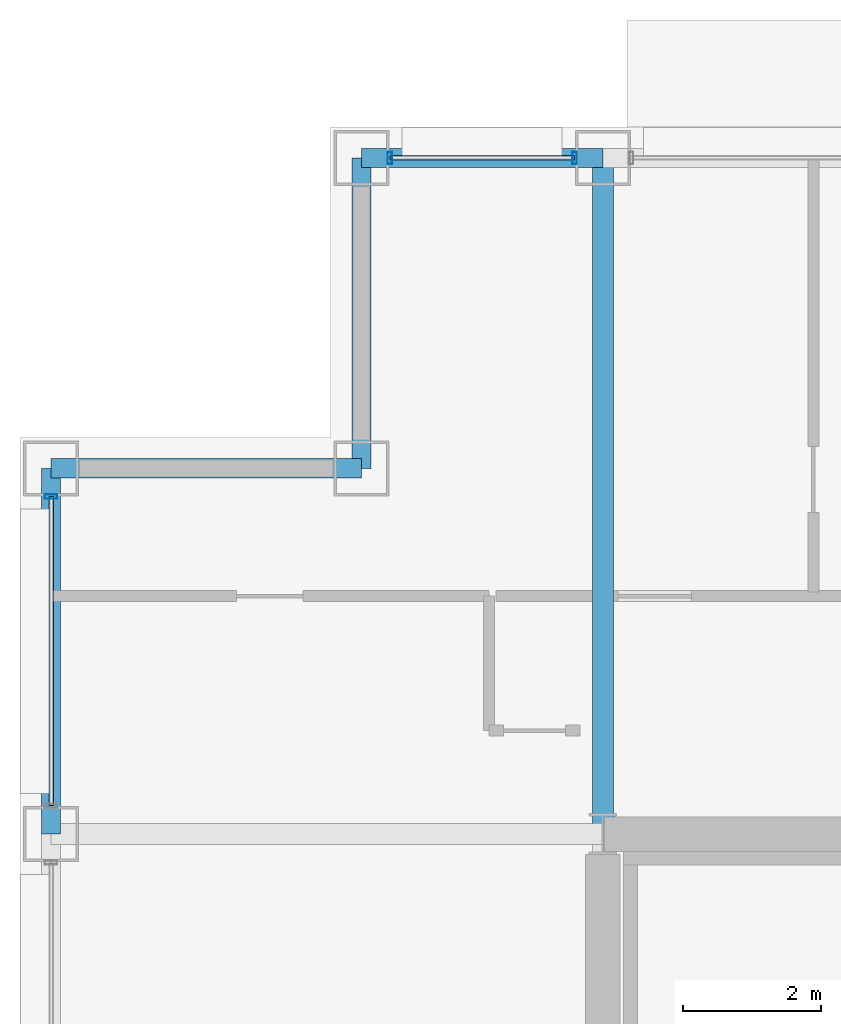
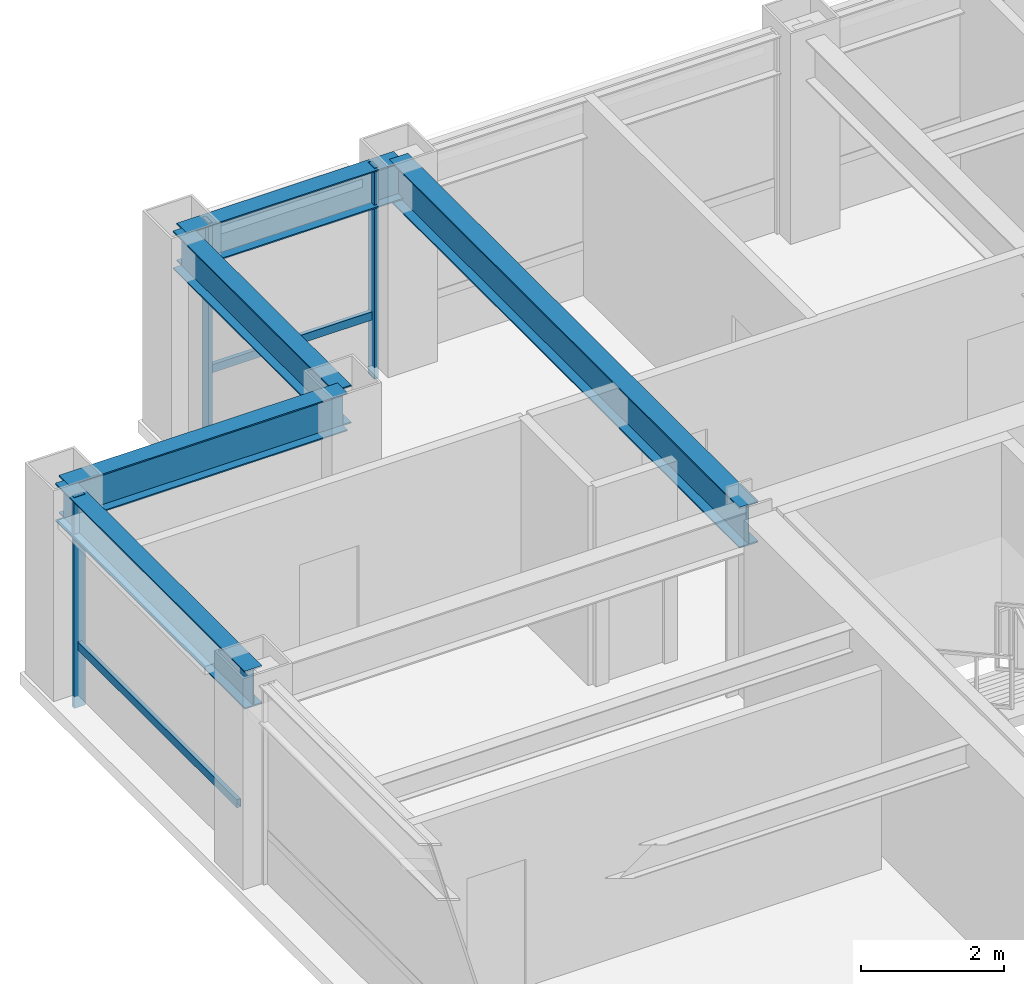
# One storey, part 18 of 28: 5 beams, 5 members, 2 elements without a shape of their own.
"""IFC4 building model written with IfcOpenShell, lengths in metres."""

from ifc_helpers import new_model, si_unit, direction, frame, origin, origin_2d, place, context, subcontext, project, spatial, hollow_rectangle, i_section, extrude, material, layer, layer_set, material_profile, profile_set, type_object, element, aggregate, save


model = new_model("IFC4")

# Units and contexts
model_context = context("Model", 3, precision=1e-05, world=origin(), true_north=direction((0.0, 1.0)))
body_context = subcontext(model_context, "Body", "Model", "MODEL_VIEW")
ifc_project = project(units=[si_unit("LENGTHUNIT", "METRE"), si_unit("AREAUNIT", "SQUARE_METRE"), si_unit("VOLUMEUNIT", "CUBIC_METRE"), si_unit("PLANEANGLEUNIT", "RADIAN"), si_unit("MASSUNIT", "GRAM", prefix="KILO")], contexts=[model_context])

# Site, building, storey
site_placement = place(None, origin())
site = spatial("IfcSite", under=ifc_project, at=site_placement, CompositionType="ELEMENT")
building_placement = place(site_placement, origin())
building = spatial("IfcBuilding", under=site, at=building_placement, Name="Brelmoor Portico Tower", CompositionType="ELEMENT")
storey_placement = place(building_placement, frame((0.0, 0.0, 142.199951171875)))
storey = spatial("IfcBuildingStorey", under=building, at=storey_placement, Name="L37", CompositionType="ELEMENT", Elevation=142.199951171875)

# Beams
ifc_material_1 = material(Name="Steel Q355B", Category="steel")
ifc_material_profile_1 = material_profile(ifc_material_1, i_section(OverallWidth=0.300048828125, OverallDepth=0.699951171875, WebThickness=0.012939453125, FlangeThickness=0.02392578125, at=origin_2d()), Name="HN 700x300x13x24")
ifc_profile_set_1 = profile_set([ifc_material_profile_1], Name="Steel Q355B")
beam_type_1 = type_object("IfcBeamType", Name="BM-PG-700", PredefinedType="BEAM", material=ifc_profile_set_1)
beam_1_placement = place(storey_placement, frame((-14.550048828125, 9.75, 3.050048828125), z_axis=(0.0, 1.0, 0.0), x_axis=(-1.0, 0.0, 0.0)))
element("IfcBeam", 1, at=beam_1_placement, inside=storey, type_object=beam_type_1, Name="L37 Primary Floor Girder PG-04", PredefinedType="BEAM", context=body_context, shape_type="SweptSolid", body=[
    extrude(i_section(OverallWidth=0.300048828125, OverallDepth=0.699951171875, WebThickness=0.012939453125, FlangeThickness=0.02392578125, at=origin_2d()), origin(), (0.0, 0.0, 1.0), 9.800048828125),
])
ifc_material_profile_2 = material_profile(ifc_material_1, i_section(OverallWidth=0.280029296875, OverallDepth=0.64990234375, WebThickness=0.012939453125, FlangeThickness=0.02197265625, at=origin_2d()), Name="HN 650x280x13x22")
ifc_profile_set_2 = profile_set([ifc_material_profile_2], Name="Steel Q355B")
beam_type_2 = type_object("IfcBeamType", Name="BM-SP-650", PredefinedType="SPANDREL", material=ifc_profile_set_2)
beam_2_placement = place(storey_placement, frame((-22.550048828125, 15.050048828125, 3.074951171875), z_axis=(1.0, 0.0, 0.0), x_axis=(0.0, 1.0, 0.0)))
element("IfcBeam", 2, at=beam_2_placement, inside=storey, type_object=beam_type_2, Name="L37 Perimeter Spandrel Beam SP-08", PredefinedType="SPANDREL", context=body_context, shape_type="SweptSolid", body=[
    extrude(i_section(OverallWidth=0.280029296875, OverallDepth=0.64990234375, WebThickness=0.012939453125, FlangeThickness=0.02197265625, at=origin_2d()), origin(), (0.0, 0.0, 1.0), 4.5),
])
beam_3_placement = place(storey_placement, frame((-18.050048828125, 19.550048828125, 3.074951171875), z_axis=(1.0, 0.0, 0.0), x_axis=(0.0, 1.0, 0.0)))
element("IfcBeam", 3, at=beam_3_placement, inside=storey, type_object=beam_type_2, Name="L37 Perimeter Spandrel Beam SP-10", PredefinedType="SPANDREL", context=body_context, shape_type="SweptSolid", body=[
    extrude(i_section(OverallWidth=0.280029296875, OverallDepth=0.64990234375, WebThickness=0.012939453125, FlangeThickness=0.02197265625, at=origin_2d()), origin(), (0.0, 0.0, 1.0), 3.5),
])
beam_4_placement = place(storey_placement, frame((-22.550048828125, 9.75, 3.074951171875), z_axis=(0.0, 1.0, 0.0), x_axis=(-1.0, 0.0, 0.0)))
element("IfcBeam", 4, at=beam_4_placement, inside=storey, type_object=beam_type_2, Name="L37 Perimeter Spandrel Beam SP-17", PredefinedType="SPANDREL", context=body_context, shape_type="SweptSolid", body=[
    extrude(i_section(OverallWidth=0.280029296875, OverallDepth=0.64990234375, WebThickness=0.012939453125, FlangeThickness=0.02197265625, at=origin_2d()), origin(), (0.0, 0.0, 1.0), 5.300048828125),
])
beam_5_placement = place(storey_placement, frame((-18.050048828125, 15.050048828125, 3.074951171875), z_axis=(0.0, 1.0, 0.0), x_axis=(-1.0, 0.0, 0.0)))
element("IfcBeam", 5, at=beam_5_placement, inside=storey, type_object=beam_type_2, Name="L37 Perimeter Spandrel Beam SP-19", PredefinedType="SPANDREL", context=body_context, shape_type="SweptSolid", body=[
    extrude(i_section(OverallWidth=0.280029296875, OverallDepth=0.64990234375, WebThickness=0.012939453125, FlangeThickness=0.02197265625, at=origin_2d()), origin(), (0.0, 0.0, 1.0), 4.5),
])

# Curtain wall, members
ifc_material_2 = material(Name="Anodised Aluminium Alloy 6063-T6", Category="aluminium")
ifc_layer = layer(ifc_material_2, 0.179931640625)
ifc_layer_set = layer_set([ifc_layer], Name="Anodised Aluminium Alloy 6063-T6")
curtain_wall_type = type_object("IfcCurtainWallType", Name="CW-TOWER-Z2", PredefinedType="NOTDEFINED", material=ifc_layer_set)
curtain_wall_1_placement = place(storey_placement, origin())
curtain_wall_1 = element("IfcCurtainWall", 6, at=curtain_wall_1_placement, inside=storey, type_object=curtain_wall_type, Name="L37 Curtain Wall CW-L37-02-1", PredefinedType="NOTDEFINED")
ifc_material_profile_3 = material_profile(ifc_material_2, hollow_rectangle(XDim=0.06494140625, YDim=0.179931640625, WallThickness=0.00390625, at=origin_2d()), Name="ALU MULLION 65x180")
ifc_profile_set_3 = profile_set([ifc_material_profile_3], Name="Anodised Aluminium Alloy 6063-T6")
member_type_1 = type_object("IfcMemberType", Name="MB-CW-MULL-180", PredefinedType="MULLION", material=ifc_profile_set_3)
member_1_placement = place(storey_placement, frame((-17.639892578125, 19.550048828125, -0.199951171875), z_axis=(0.0, 0.0, 1.0), x_axis=(1.0, 0.0, 0.0)))
member_1 = element("IfcMember", 7, at=member_1_placement, type_object=member_type_1, Name="CW-L37-02-1 Mullion 00", PredefinedType="MULLION", context=body_context, shape_type="SweptSolid", body=[
    extrude(hollow_rectangle(XDim=0.06494140625, YDim=0.179931640625, WallThickness=0.00390625, at=origin_2d()), origin(), (0.0, 0.0, 1.0), 3.60009765625),
])
member_2_placement = place(storey_placement, frame((-14.9599609375, 19.550048828125, -0.199951171875), z_axis=(0.0, 0.0, 1.0), x_axis=(1.0, 0.0, 0.0)))
member_2 = element("IfcMember", 8, at=member_2_placement, type_object=member_type_1, Name="CW-L37-02-1 Mullion 01", PredefinedType="MULLION", context=body_context, shape_type="SweptSolid", body=[
    extrude(hollow_rectangle(XDim=0.06494140625, YDim=0.179931640625, WallThickness=0.00390625, at=origin_2d()), origin(), (0.0, 0.0, 1.0), 3.60009765625),
])

# Curtain wall, member
curtain_wall_2_placement = place(storey_placement, origin())
curtain_wall_2 = element("IfcCurtainWall", 9, at=curtain_wall_2_placement, inside=storey, type_object=curtain_wall_type, Name="L37 Curtain Wall CW-L37-03-3", PredefinedType="NOTDEFINED")
member_3_placement = place(storey_placement, frame((-22.550048828125, 14.639892578125, -0.199951171875), z_axis=(0.0, 0.0, 1.0), x_axis=(0.0, 1.0, 0.0)))
member_3 = element("IfcMember", 10, at=member_3_placement, type_object=member_type_1, Name="CW-L37-03-3 Mullion 01", PredefinedType="MULLION", context=body_context, shape_type="SweptSolid", body=[
    extrude(hollow_rectangle(XDim=0.06494140625, YDim=0.179931640625, WallThickness=0.00390625, at=origin_2d()), origin(), (0.0, 0.0, 1.0), 3.60009765625),
])

# Member
ifc_material_profile_4 = material_profile(ifc_material_2, hollow_rectangle(XDim=0.06494140625, YDim=0.139892578125, WallThickness=0.00390625, at=origin_2d()), Name="ALU TRANSOM 65x140")
ifc_profile_set_4 = profile_set([ifc_material_profile_4], Name="Anodised Aluminium Alloy 6063-T6")
member_type_2 = type_object("IfcMemberType", Name="MB-CW-TRAN-140", PredefinedType="USERDEFINED", material=ifc_profile_set_4)
member_4_placement = place(storey_placement, frame((-17.639892578125, 19.550048828125, 0.85009765625), z_axis=(1.0, 0.0, 0.0), x_axis=(0.0, 1.0, 0.0)))
member_4 = element("IfcMember", 11, at=member_4_placement, type_object=member_type_2, Name="CW-L37-02-1 Transom 1-00", ObjectType="TRANSOM", PredefinedType="USERDEFINED", context=body_context, shape_type="SweptSolid", body=[
    extrude(hollow_rectangle(XDim=0.06494140625, YDim=0.139892578125, WallThickness=0.00390625, at=origin_2d()), origin(), (0.0, 0.0, 1.0), 2.679931640625),
])

aggregate(curtain_wall_1, [member_1, member_2, member_4])

member_5_placement = place(storey_placement, frame((-22.550048828125, 10.159912109375, 0.85009765625), z_axis=(0.0, 1.0, 0.0), x_axis=(-1.0, 0.0, 0.0)))
member_5 = element("IfcMember", 12, at=member_5_placement, type_object=member_type_2, Name="CW-L37-03-3 Transom 1-00", ObjectType="TRANSOM", PredefinedType="USERDEFINED", context=body_context, shape_type="SweptSolid", body=[
    extrude(hollow_rectangle(XDim=0.06494140625, YDim=0.139892578125, WallThickness=0.00390625, at=origin_2d()), origin(), (0.0, 0.0, 1.0), 4.47998046875),
])

aggregate(curtain_wall_2, [member_3, member_5])

save(model, "model.ifc")
